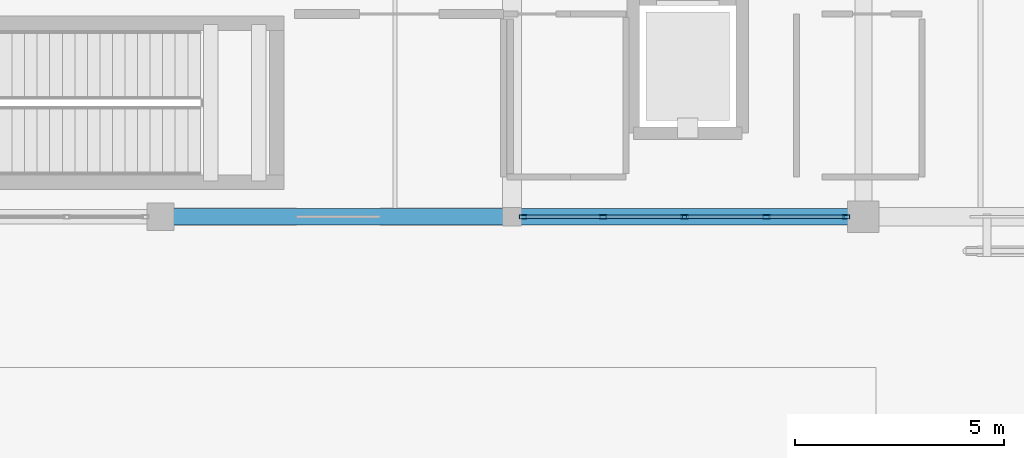
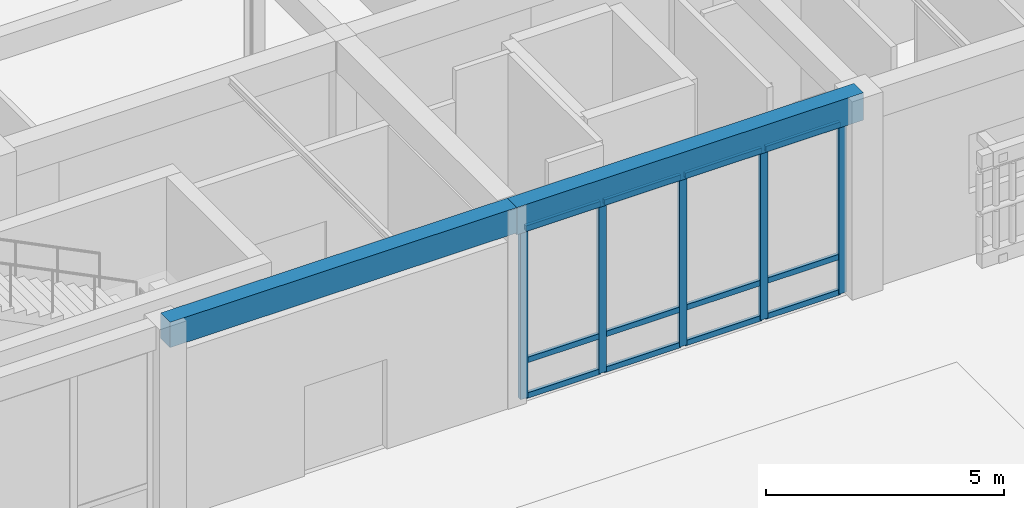
# One storey, part 71 of 169: 17 members, 2 beams, 1 element without a shape of its own.
"""IFC4 building model written with IfcOpenShell, lengths in metres."""

from ifc_helpers import new_model, si_unit, direction, frame, origin, origin_2d, place, context, subcontext, project, spatial, rectangle, hollow_rectangle, extrude, material, layer, layer_set, material_profile, profile_set, type_object, element, aggregate, save


model = new_model("IFC4")

# Units and contexts
model_context = context("Model", 3, precision=1e-05, world=origin(), true_north=direction((0.0, 1.0)))
body_context = subcontext(model_context, "Body", "Model", "MODEL_VIEW")
ifc_project = project(units=[si_unit("LENGTHUNIT", "METRE"), si_unit("AREAUNIT", "SQUARE_METRE"), si_unit("VOLUMEUNIT", "CUBIC_METRE"), si_unit("PLANEANGLEUNIT", "RADIAN"), si_unit("MASSUNIT", "GRAM", prefix="KILO")], contexts=[model_context])

# Site, building, storey
site_placement = place(None, origin())
site = spatial("IfcSite", under=ifc_project, at=site_placement, CompositionType="ELEMENT")
building_placement = place(site_placement, origin())
building = spatial("IfcBuilding", under=site, at=building_placement, Name="Mazaris Harbour Polytechnic", CompositionType="ELEMENT")
storey_placement = place(building_placement, origin())
storey = spatial("IfcBuildingStorey", under=building, at=storey_placement, Name="L00", CompositionType="ELEMENT", Elevation=0.0)

# Curtain wall, members
ifc_material_1 = material(Name="Anodised Bronze Aluminium and Low-E Glass", Category="aluminium")
ifc_layer = layer(ifc_material_1, 0.14990234375, Name="Anodised Bronze Aluminium and Low-E Glass")
ifc_layer_set = layer_set([ifc_layer], Name="Anodised Bronze Aluminium and Low-E Glass")
curtain_wall_type = type_object("IfcCurtainWallType", Name="Workshop Clerestory Curtain Wall", PredefinedType="NOTDEFINED", material=ifc_layer_set)
curtain_wall_placement = place(storey_placement, origin())
curtain_wall = element("IfcCurtainWall", 1, at=curtain_wall_placement, inside=storey, type_object=curtain_wall_type, Name="V1 L00 Curtain Wall 2", PredefinedType="NOTDEFINED")
ifc_material_2 = material(Name="Anodised Bronze Steel S355", Category="steel")
ifc_material_profile_1 = material_profile(ifc_material_2, hollow_rectangle(XDim=0.10009765625, YDim=0.179931640625, WallThickness=0.008056640625, at=origin_2d()), Name="RHS 100x180x8.0")
ifc_profile_set_1 = profile_set([ifc_material_profile_1], Name="Anodised Bronze Steel S355")
member_type_1 = type_object("IfcMemberType", Name="Curtain Mullion RHS100x180", PredefinedType="MULLION", material=ifc_profile_set_1)
member_1_placement = place(storey_placement, frame((78.782958984375, 75.60009765625, 0.0), z_axis=(0.0, 0.0, 1.0), x_axis=(0.0, -1.0, 0.0)))
member_1 = element("IfcMember", 2, at=member_1_placement, type_object=member_type_1, Name="CW-04 mullion 1", PredefinedType="MULLION", context=body_context, shape_type="SweptSolid", body=[
    extrude(hollow_rectangle(XDim=0.10009765625, YDim=0.179931640625, WallThickness=0.008056640625, at=origin_2d()), origin(), (0.0, 0.0, 1.0), 4.3701171875),
])
member_2_placement = place(storey_placement, frame((76.87890625, 75.60009765625, 0.0), z_axis=(0.0, 0.0, 1.0), x_axis=(0.0, -1.0, 0.0)))
member_2 = element("IfcMember", 3, at=member_2_placement, type_object=member_type_1, Name="CW-04 mullion 2", PredefinedType="MULLION", context=body_context, shape_type="SweptSolid", body=[
    extrude(hollow_rectangle(XDim=0.10009765625, YDim=0.179931640625, WallThickness=0.008056640625, at=origin_2d()), origin(), (0.0, 0.0, 1.0), 4.3701171875),
])
member_3_placement = place(storey_placement, frame((74.925048828125, 75.60009765625, 0.0), z_axis=(0.0, 0.0, 1.0), x_axis=(0.0, -1.0, 0.0)))
member_3 = element("IfcMember", 4, at=member_3_placement, type_object=member_type_1, Name="CW-04 mullion 3", PredefinedType="MULLION", context=body_context, shape_type="SweptSolid", body=[
    extrude(hollow_rectangle(XDim=0.10009765625, YDim=0.179931640625, WallThickness=0.008056640625, at=origin_2d()), origin(), (0.0, 0.0, 1.0), 4.3701171875),
])
member_4_placement = place(storey_placement, frame((72.970947265625, 75.60009765625, 0.0), z_axis=(0.0, 0.0, 1.0), x_axis=(0.0, -1.0, 0.0)))
member_4 = element("IfcMember", 5, at=member_4_placement, type_object=member_type_1, Name="CW-04 mullion 4", PredefinedType="MULLION", context=body_context, shape_type="SweptSolid", body=[
    extrude(hollow_rectangle(XDim=0.10009765625, YDim=0.179931640625, WallThickness=0.008056640625, at=origin_2d()), origin(), (0.0, 0.0, 1.0), 4.3701171875),
])
member_5_placement = place(storey_placement, frame((71.06689453125, 75.60009765625, 0.0), z_axis=(0.0, 0.0, 1.0), x_axis=(0.0, -1.0, 0.0)))
member_5 = element("IfcMember", 6, at=member_5_placement, type_object=member_type_1, Name="CW-04 mullion 5", PredefinedType="MULLION", context=body_context, shape_type="SweptSolid", body=[
    extrude(hollow_rectangle(XDim=0.10009765625, YDim=0.179931640625, WallThickness=0.008056640625, at=origin_2d()), origin(), (0.0, 0.0, 1.0), 4.3701171875),
])
ifc_material_3 = material(Name="Anodised Bronze Steel S355", Category="steel")
ifc_material_profile_2 = material_profile(ifc_material_3, hollow_rectangle(XDim=0.080078125, YDim=0.139892578125, WallThickness=0.00634765625, at=origin_2d()), Name="RHS 80x140x6.3")
ifc_profile_set_2 = profile_set([ifc_material_profile_2], Name="Anodised Bronze Steel S355")
member_type_2 = type_object("IfcMemberType", Name="Curtain Transom RHS80x140", PredefinedType="USERDEFINED", material=ifc_profile_set_2)
member_6_placement = place(storey_placement, frame((78.73291015625, 75.60009765625, 0.0400390625), z_axis=(-1.0, 0.0, 0.0), x_axis=(0.0, -1.0, 0.0)))
member_6 = element("IfcMember", 7, at=member_6_placement, type_object=member_type_2, Name="CW-04 transom 1.1", ObjectType="TRANSOM", PredefinedType="USERDEFINED", context=body_context, shape_type="SweptSolid", body=[
    extrude(hollow_rectangle(XDim=0.080078125, YDim=0.139892578125, WallThickness=0.00634765625, at=origin_2d()), origin(), (0.0, 0.0, 1.0), 1.803955078125),
])
member_7_placement = place(storey_placement, frame((78.73291015625, 75.60009765625, 0.949951171875), z_axis=(-1.0, 0.0, 0.0), x_axis=(0.0, -1.0, 0.0)))
member_7 = element("IfcMember", 8, at=member_7_placement, type_object=member_type_2, Name="CW-04 transom 1.2", ObjectType="TRANSOM", PredefinedType="USERDEFINED", context=body_context, shape_type="SweptSolid", body=[
    extrude(hollow_rectangle(XDim=0.080078125, YDim=0.139892578125, WallThickness=0.00634765625, at=origin_2d()), origin(), (0.0, 0.0, 1.0), 1.803955078125),
])
member_8_placement = place(storey_placement, frame((78.73291015625, 75.60009765625, 4.330078125), z_axis=(-1.0, 0.0, 0.0), x_axis=(0.0, -1.0, 0.0)))
member_8 = element("IfcMember", 9, at=member_8_placement, type_object=member_type_2, Name="CW-04 transom 1.3", ObjectType="TRANSOM", PredefinedType="USERDEFINED", context=body_context, shape_type="SweptSolid", body=[
    extrude(hollow_rectangle(XDim=0.080078125, YDim=0.139892578125, WallThickness=0.00634765625, at=origin_2d()), origin(), (0.0, 0.0, 1.0), 1.803955078125),
])
member_9_placement = place(storey_placement, frame((76.8291015625, 75.60009765625, 0.0400390625), z_axis=(-1.0, 0.0, 0.0), x_axis=(0.0, -1.0, 0.0)))
member_9 = element("IfcMember", 10, at=member_9_placement, type_object=member_type_2, Name="CW-04 transom 2.1", ObjectType="TRANSOM", PredefinedType="USERDEFINED", context=body_context, shape_type="SweptSolid", body=[
    extrude(hollow_rectangle(XDim=0.080078125, YDim=0.139892578125, WallThickness=0.00634765625, at=origin_2d()), origin(), (0.0, 0.0, 1.0), 1.85400390625),
])
member_10_placement = place(storey_placement, frame((76.8291015625, 75.60009765625, 0.949951171875), z_axis=(-1.0, 0.0, 0.0), x_axis=(0.0, -1.0, 0.0)))
member_10 = element("IfcMember", 11, at=member_10_placement, type_object=member_type_2, Name="CW-04 transom 2.2", ObjectType="TRANSOM", PredefinedType="USERDEFINED", context=body_context, shape_type="SweptSolid", body=[
    extrude(hollow_rectangle(XDim=0.080078125, YDim=0.139892578125, WallThickness=0.00634765625, at=origin_2d()), origin(), (0.0, 0.0, 1.0), 1.85400390625),
])
member_11_placement = place(storey_placement, frame((76.8291015625, 75.60009765625, 4.330078125), z_axis=(-1.0, 0.0, 0.0), x_axis=(0.0, -1.0, 0.0)))
member_11 = element("IfcMember", 12, at=member_11_placement, type_object=member_type_2, Name="CW-04 transom 2.3", ObjectType="TRANSOM", PredefinedType="USERDEFINED", context=body_context, shape_type="SweptSolid", body=[
    extrude(hollow_rectangle(XDim=0.080078125, YDim=0.139892578125, WallThickness=0.00634765625, at=origin_2d()), origin(), (0.0, 0.0, 1.0), 1.85400390625),
])
member_12_placement = place(storey_placement, frame((74.875, 75.60009765625, 0.0400390625), z_axis=(-1.0, 0.0, 0.0), x_axis=(0.0, -1.0, 0.0)))
member_12 = element("IfcMember", 13, at=member_12_placement, type_object=member_type_2, Name="CW-04 transom 3.1", ObjectType="TRANSOM", PredefinedType="USERDEFINED", context=body_context, shape_type="SweptSolid", body=[
    extrude(hollow_rectangle(XDim=0.080078125, YDim=0.139892578125, WallThickness=0.00634765625, at=origin_2d()), origin(), (0.0, 0.0, 1.0), 1.85400390625),
])
member_13_placement = place(storey_placement, frame((74.875, 75.60009765625, 0.949951171875), z_axis=(-1.0, 0.0, 0.0), x_axis=(0.0, -1.0, 0.0)))
member_13 = element("IfcMember", 14, at=member_13_placement, type_object=member_type_2, Name="CW-04 transom 3.2", ObjectType="TRANSOM", PredefinedType="USERDEFINED", context=body_context, shape_type="SweptSolid", body=[
    extrude(hollow_rectangle(XDim=0.080078125, YDim=0.139892578125, WallThickness=0.00634765625, at=origin_2d()), origin(), (0.0, 0.0, 1.0), 1.85400390625),
])
member_14_placement = place(storey_placement, frame((74.875, 75.60009765625, 4.330078125), z_axis=(-1.0, 0.0, 0.0), x_axis=(0.0, -1.0, 0.0)))
member_14 = element("IfcMember", 15, at=member_14_placement, type_object=member_type_2, Name="CW-04 transom 3.3", ObjectType="TRANSOM", PredefinedType="USERDEFINED", context=body_context, shape_type="SweptSolid", body=[
    extrude(hollow_rectangle(XDim=0.080078125, YDim=0.139892578125, WallThickness=0.00634765625, at=origin_2d()), origin(), (0.0, 0.0, 1.0), 1.85400390625),
])
member_15_placement = place(storey_placement, frame((72.9208984375, 75.60009765625, 0.0400390625), z_axis=(-1.0, 0.0, 0.0), x_axis=(0.0, -1.0, 0.0)))
member_15 = element("IfcMember", 16, at=member_15_placement, type_object=member_type_2, Name="CW-04 transom 4.1", ObjectType="TRANSOM", PredefinedType="USERDEFINED", context=body_context, shape_type="SweptSolid", body=[
    extrude(hollow_rectangle(XDim=0.080078125, YDim=0.139892578125, WallThickness=0.00634765625, at=origin_2d()), origin(), (0.0, 0.0, 1.0), 1.803955078125),
])
member_16_placement = place(storey_placement, frame((72.9208984375, 75.60009765625, 0.949951171875), z_axis=(-1.0, 0.0, 0.0), x_axis=(0.0, -1.0, 0.0)))
member_16 = element("IfcMember", 17, at=member_16_placement, type_object=member_type_2, Name="CW-04 transom 4.2", ObjectType="TRANSOM", PredefinedType="USERDEFINED", context=body_context, shape_type="SweptSolid", body=[
    extrude(hollow_rectangle(XDim=0.080078125, YDim=0.139892578125, WallThickness=0.00634765625, at=origin_2d()), origin(), (0.0, 0.0, 1.0), 1.803955078125),
])
member_17_placement = place(storey_placement, frame((72.9208984375, 75.60009765625, 4.330078125), z_axis=(-1.0, 0.0, 0.0), x_axis=(0.0, -1.0, 0.0)))
member_17 = element("IfcMember", 18, at=member_17_placement, type_object=member_type_2, Name="CW-04 transom 4.3", ObjectType="TRANSOM", PredefinedType="USERDEFINED", context=body_context, shape_type="SweptSolid", body=[
    extrude(hollow_rectangle(XDim=0.080078125, YDim=0.139892578125, WallThickness=0.00634765625, at=origin_2d()), origin(), (0.0, 0.0, 1.0), 1.803955078125),
])
aggregate(curtain_wall, [member_1, member_2, member_3, member_4, member_5, member_6, member_7, member_8, member_9, member_10, member_11, member_12, member_13, member_14, member_15, member_16, member_17])

# Beams
ifc_material_4 = material(Name="Concrete C35/45", Category="concrete")
ifc_material_profile_3 = material_profile(ifc_material_4, rectangle(XDim=0.39990234375, YDim=0.64990234375, at=origin_2d()), Name="RECT400x650")
ifc_profile_set_3 = profile_set([ifc_material_profile_3], Name="Concrete C35/45")
beam_type_1 = type_object("IfcBeamType", Name="RC Girder 400x650 Exterior", PredefinedType="BEAM", material=ifc_profile_set_3)
beam_1_placement = place(storey_placement, frame((62.39990234375, 75.60009765625, 4.7548828125), z_axis=(1.0, 0.0, 0.0), x_axis=(0.0, 1.0, 0.0)))
element("IfcBeam", 19, at=beam_1_placement, inside=storey, type_object=beam_type_1, Name="V1 L00 Girder 176", PredefinedType="BEAM", context=body_context, shape_type="SweptSolid", body=[
    extrude(rectangle(XDim=0.39990234375, YDim=0.64990234375, at=origin_2d()), origin(), (0.0, 0.0, 1.0), 8.400146484375),
])
ifc_material_5 = material(Name="Concrete C35/45", Category="concrete")
ifc_material_profile_4 = material_profile(ifc_material_5, rectangle(XDim=0.39990234375, YDim=0.699951171875, at=origin_2d()), Name="RECT400x700")
ifc_profile_set_4 = profile_set([ifc_material_profile_4], Name="Concrete C35/45")
beam_type_2 = type_object("IfcBeamType", Name="RC Girder 400x700 Exterior", PredefinedType="BEAM", material=ifc_profile_set_4)
beam_2_placement = place(storey_placement, frame((70.800048828125, 75.60009765625, 4.72998046875), z_axis=(1.0, 0.0, 0.0), x_axis=(0.0, 1.0, 0.0)))
element("IfcBeam", 20, at=beam_2_placement, inside=storey, type_object=beam_type_2, Name="V1 L00 Girder 177", PredefinedType="BEAM", context=body_context, shape_type="SweptSolid", body=[
    extrude(rectangle(XDim=0.39990234375, YDim=0.699951171875, at=origin_2d()), origin(), (0.0, 0.0, 1.0), 8.39990234375),
])

save(model, "model.ifc")
